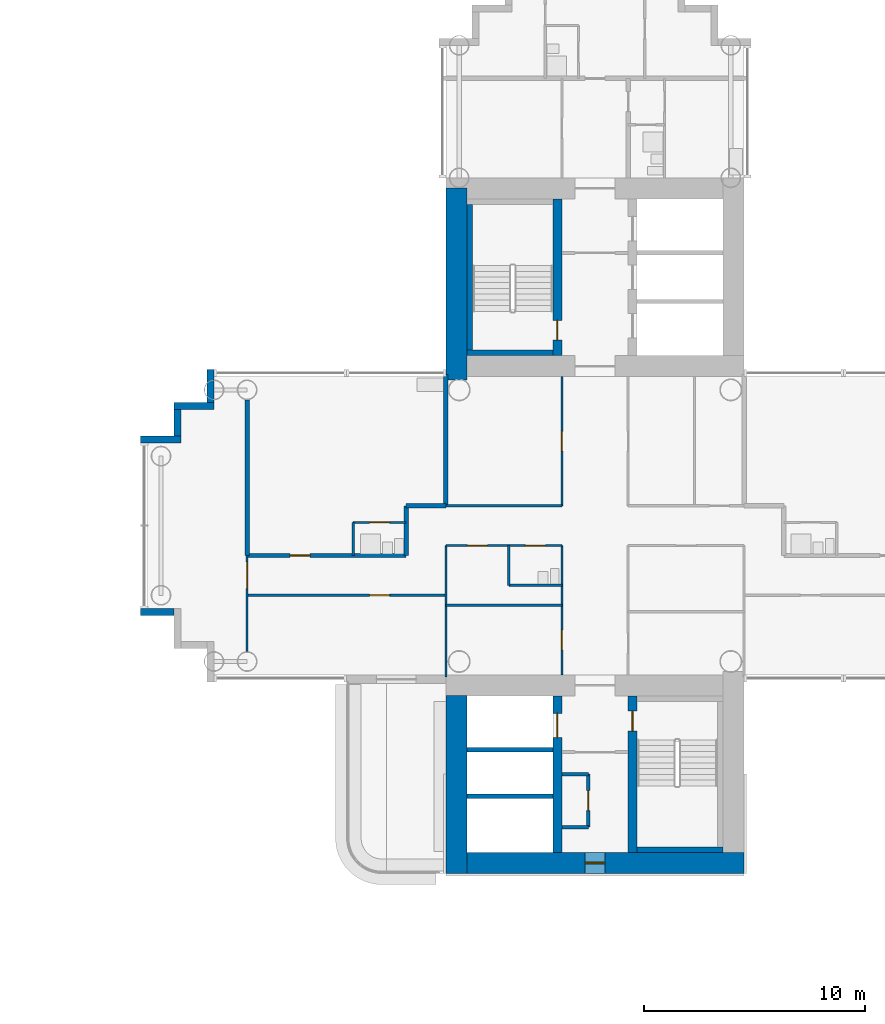
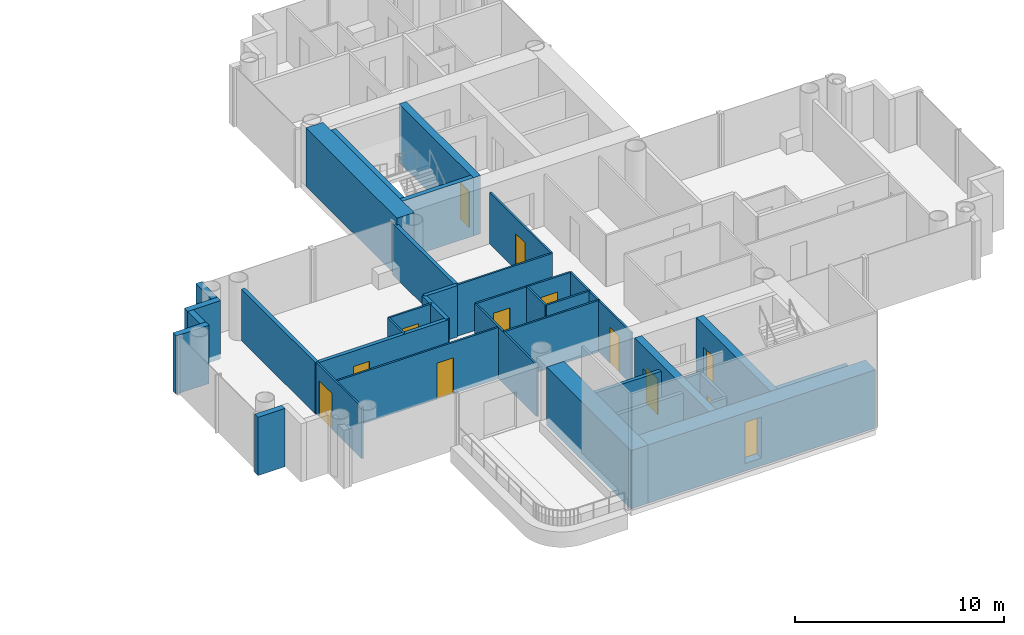
# One storey, part 12 of 21: 36 walls, 12 doors, 1 window, 13 openings.
"""IFC4 building model written with IfcOpenShell, lengths in metres."""

from ifc_helpers import new_model, si_unit, direction, frame, frame_2d, origin, place, context, subcontext, project, spatial, rectangle, extrude, material, layer, layer_set, type_object, element, fill, save


model = new_model("IFC4")

# Units and contexts
model_context = context("Model", 3, precision=1e-05, world=origin(), true_north=direction((0.0, 1.0)))
body_context = subcontext(model_context, "Body", "Model", "MODEL_VIEW")
ifc_project = project(units=[si_unit("LENGTHUNIT", "METRE"), si_unit("AREAUNIT", "SQUARE_METRE"), si_unit("VOLUMEUNIT", "CUBIC_METRE"), si_unit("PLANEANGLEUNIT", "RADIAN"), si_unit("MASSUNIT", "GRAM", prefix="KILO")], contexts=[model_context])

# Site, building, storey
site_placement = place(None, origin())
site = spatial("IfcSite", under=ifc_project, at=site_placement, CompositionType="ELEMENT")
building_placement = place(site_placement, origin())
building = spatial("IfcBuilding", under=site, at=building_placement, Name="Ipe Terrace Towers", CompositionType="ELEMENT")
storey_placement = place(building_placement, frame((0.0, 0.0, 83.39990234375)))
storey = spatial("IfcBuildingStorey", under=building, at=storey_placement, Name="L22", CompositionType="ELEMENT", Elevation=83.39990234375)

# Walls
ifc_material_1 = material(Name="Concrete C40/50 with buff precast cladding", Category="concrete")
ifc_layer_1 = layer(ifc_material_1, 0.320068359375)
ifc_layer_set_1 = layer_set([ifc_layer_1], Name="BUFF CLADDING WALL 320")
wall_type_1 = type_object("IfcWallType", Name="BUFF CLADDING WALL 320", PredefinedType="STANDARD", material=ifc_layer_set_1)
wall_1_placement = place(storey_placement, frame((18.590087890625, 7.070068359375, -0.2998046875), z_axis=(0.0, 0.0, 1.0), x_axis=(0.0, -1.0, 0.0)))
element("IfcWall", 1, at=wall_1_placement, inside=storey, type_object=wall_type_1, Name="T2-W-L22-30a wall", PredefinedType="STANDARD", context=body_context, shape_type="SweptSolid", body=[
    extrude(rectangle(XDim=1.5, YDim=0.320068359375, at=frame_2d((0.75, 0.0))), origin(), (0.0, 0.0, 1.0), 3.39990234375),
])
wall_2_placement = place(storey_placement, frame((18.75, 5.409912109375, -0.2998046875), z_axis=(0.0, 0.0, 1.0), x_axis=(-1.0, 0.0, 0.0)))
element("IfcWall", 2, at=wall_2_placement, inside=storey, type_object=wall_type_1, Name="T2-W-L22-31a wall", PredefinedType="STANDARD", context=body_context, shape_type="SweptSolid", body=[
    extrude(rectangle(XDim=1.820068359375, YDim=0.320068359375, at=frame_2d((0.91015625, 0.0))), origin(), (0.0, 0.0, 1.0), 3.39990234375),
])
wall_3_placement = place(storey_placement, frame((17.090087890625, 5.25, -0.2998046875), z_axis=(0.0, 0.0, 1.0), x_axis=(0.0, -1.0, 0.0)))
element("IfcWall", 3, at=wall_3_placement, inside=storey, type_object=wall_type_1, Name="T2-W-L22-32a wall", PredefinedType="STANDARD", context=body_context, shape_type="SweptSolid", body=[
    extrude(rectangle(XDim=1.179931640625, YDim=0.320068359375, at=frame_2d((0.58984375, 0.0))), origin(), (0.0, 0.0, 1.0), 3.39990234375),
])
wall_4_placement = place(storey_placement, frame((17.25, 3.909912109375, -0.2998046875), z_axis=(0.0, 0.0, 1.0), x_axis=(-1.0, 0.0, 0.0)))
element("IfcWall", 4, at=wall_4_placement, inside=storey, type_object=wall_type_1, Name="T2-W-L22-33a wall", PredefinedType="STANDARD", context=body_context, shape_type="SweptSolid", body=[
    extrude(rectangle(XDim=1.820068359375, YDim=0.320068359375, at=frame_2d((0.91015625, 0.0))), origin(), (0.0, 0.0, 1.0), 3.39990234375),
])
wall_5_placement = place(storey_placement, frame((15.429931640625, -3.909912109375, -0.2998046875), z_axis=(0.0, 0.0, 1.0), x_axis=(1.0, 0.0, 0.0)))
element("IfcWall", 5, at=wall_5_placement, inside=storey, type_object=wall_type_1, Name="T2-W-L22-35a wall", PredefinedType="STANDARD", context=body_context, shape_type="SweptSolid", body=[
    extrude(rectangle(XDim=1.5, YDim=0.320068359375, at=frame_2d((0.75, 0.0))), origin(), (0.0, 0.0, 1.0), 3.39990234375),
])
ifc_material_2 = material(Name="Gypsum board partition", Category="plasterboard")
ifc_layer_2 = layer(ifc_material_2, 0.10009765625)
ifc_layer_set_2 = layer_set([ifc_layer_2], Name="Gypsum board partition 100 mm")
wall_type_2 = type_object("IfcWallType", Name="Gypsum board partition 100 mm", PredefinedType="PARTITIONING", material=ifc_layer_set_2)
wall_6_placement = place(storey_placement, frame((34.5, -3.60009765625, 0.0), z_axis=(0.0, 0.0, 1.0), x_axis=(-1.0, 0.0, 0.0)))
element("IfcWall", 6, at=wall_6_placement, inside=storey, type_object=wall_type_2, Name="Gypsum board partition T2 L22 W02", PredefinedType="PARTITIONING", context=body_context, shape_type="SweptSolid", body=[
    extrude(rectangle(XDim=5.25, YDim=0.10009765625, at=frame_2d((2.625, 0.0))), origin(), (0.0, 0.0, 1.0), 3.0),
])

# Wall, opening, door
wall_7_placement = place(storey_placement, frame((29.25, -3.14990234375, 0.0), z_axis=(0.0, 0.0, 1.0), x_axis=(-1.0, 0.0, 0.0)))
wall_7 = element("IfcWall", 7, at=wall_7_placement, inside=storey, type_object=wall_type_2, Name="Gypsum board partition T2 L22 W04", PredefinedType="PARTITIONING", context=body_context, shape_type="SweptSolid", body=[
    extrude(rectangle(XDim=9.0, YDim=0.10009765625, at=frame_2d((4.5, 0.0))), origin(), (0.0, 0.0, 1.0), 3.0),
])
opening_1_placement = place(wall_7_placement, frame((2.550048828125, 0.0, 0.0)))
opening_1 = element("IfcOpeningElement", 8, at=opening_1_placement, cuts=wall_7, Name="Opening T2-Z2B-09", PredefinedType="OPENING", context=body_context, shape_type="SweptSolid", body=[
    extrude(rectangle(XDim=0.89990234375, YDim=2.10009765625, at=frame_2d((0.449951171875, 1.050048828125))), frame((0.0, 0.06005859375, 0.0), z_axis=(0.0, -1.0, 0.0), x_axis=(1.0, 0.0, 0.0)), (0.0, 0.0, 1.0), 0.1201171875),
])
ifc_material_3 = material(Name="Timber door leaf", Category="wood")
door_type_1 = type_object("IfcDoorType", Name="Lounge door 900 x 2100", OperationType="NOTDEFINED", PredefinedType="DOOR", material=ifc_material_3)
door_1_placement = place(opening_1_placement, origin())
door_1 = element("IfcDoor", 9, at=door_1_placement, inside=storey, type_object=door_type_1, Name="Lounge door T2-Z2B-09", OperationType="SINGLE_SWING_RIGHT", OverallHeight=2.10009765625, OverallWidth=0.89990234375, PredefinedType="DOOR", context=body_context, shape_type="SweptSolid", body=[
    extrude(rectangle(XDim=0.89990234375, YDim=2.10009765625, at=frame_2d((0.449951171875, 1.050048828125))), frame((0.0, 0.02490234375, 0.0), z_axis=(0.0, -1.0, 0.0), x_axis=(1.0, 0.0, 0.0)), (0.0, 0.0, 1.0), 0.050048828125),
])
fill(opening_1, door_1)

# Wall
wall_8_placement = place(storey_placement, frame((34.5, -2.699951171875, 0.0), z_axis=(0.0, 0.0, 1.0), x_axis=(-1.0, 0.0, 0.0)))
element("IfcWall", 10, at=wall_8_placement, inside=storey, type_object=wall_type_2, Name="Gypsum board partition T2 L22 W05", PredefinedType="PARTITIONING", context=body_context, shape_type="SweptSolid", body=[
    extrude(rectangle(XDim=2.39990234375, YDim=0.10009765625, at=frame_2d((1.199951171875, 0.0))), origin(), (0.0, 0.0, 1.0), 3.0),
])

# Wall, openings, doors
wall_9_placement = place(storey_placement, frame((34.5, -0.89990234375, 0.0), z_axis=(0.0, 0.0, 1.0), x_axis=(-1.0, 0.0, 0.0)))
wall_9 = element("IfcWall", 11, at=wall_9_placement, inside=storey, type_object=wall_type_2, Name="Gypsum board partition T2 L22 W09", PredefinedType="PARTITIONING", context=body_context, shape_type="SweptSolid", body=[
    extrude(rectangle(XDim=5.25, YDim=0.10009765625, at=frame_2d((2.625, 0.0))), origin(), (0.0, 0.0, 1.0), 3.0),
])
opening_2_placement = place(wall_9_placement, frame((0.75, 0.0, 0.0)))
opening_2 = element("IfcOpeningElement", 12, at=opening_2_placement, cuts=wall_9, Name="Opening T2-Z2B-01", PredefinedType="OPENING", context=body_context, shape_type="SweptSolid", body=[
    extrude(rectangle(XDim=0.89990234375, YDim=2.10009765625, at=frame_2d((0.449951171875, 1.050048828125))), frame((0.0, 0.06005859375, 0.0), z_axis=(0.0, -1.0, 0.0), x_axis=(1.0, 0.0, 0.0)), (0.0, 0.0, 1.0), 0.1201171875),
])
opening_3_placement = place(wall_9_placement, frame((3.375, 0.0, 0.0)))
opening_3 = element("IfcOpeningElement", 13, at=opening_3_placement, cuts=wall_9, Name="Opening T2-Z2B-03", PredefinedType="OPENING", context=body_context, shape_type="SweptSolid", body=[
    extrude(rectangle(XDim=0.89990234375, YDim=2.10009765625, at=frame_2d((0.449951171875, 1.050048828125))), frame((0.0, 0.06005859375, 0.0), z_axis=(0.0, -1.0, 0.0), x_axis=(1.0, 0.0, 0.0)), (0.0, 0.0, 1.0), 0.1201171875),
])
ifc_material_4 = material(Name="Timber door leaf", Category="wood")
door_type_2 = type_object("IfcDoorType", Name="Bathroom door 900 x 2100", OperationType="NOTDEFINED", PredefinedType="DOOR", material=ifc_material_4)
door_2_placement = place(opening_2_placement, origin())
door_2 = element("IfcDoor", 14, at=door_2_placement, inside=storey, type_object=door_type_2, Name="Bathroom door T2-Z2B-01", OperationType="SINGLE_SWING_RIGHT", OverallHeight=2.10009765625, OverallWidth=0.89990234375, PredefinedType="DOOR", context=body_context, shape_type="SweptSolid", body=[
    extrude(rectangle(XDim=0.89990234375, YDim=2.10009765625, at=frame_2d((0.449951171875, 1.050048828125))), frame((0.0, 0.02490234375, 0.0), z_axis=(0.0, -1.0, 0.0), x_axis=(1.0, 0.0, 0.0)), (0.0, 0.0, 1.0), 0.050048828125),
])
fill(opening_2, door_2)
door_3_placement = place(opening_3_placement, origin())
door_3 = element("IfcDoor", 15, at=door_3_placement, inside=storey, type_object=door_type_1, Name="Lounge door T2-Z2B-03", OperationType="SINGLE_SWING_LEFT", OverallHeight=2.10009765625, OverallWidth=0.89990234375, PredefinedType="DOOR", context=body_context, shape_type="SweptSolid", body=[
    extrude(rectangle(XDim=0.89990234375, YDim=2.10009765625, at=frame_2d((0.449951171875, 1.050048828125))), frame((0.0, 0.02490234375, 0.0), z_axis=(0.0, -1.0, 0.0), x_axis=(1.0, 0.0, 0.0)), (0.0, 0.0, 1.0), 0.050048828125),
])
fill(opening_3, door_3)

# Wall, opening, door
wall_10_placement = place(storey_placement, frame((27.449951171875, 0.14990234375, 0.0), z_axis=(0.0, 0.0, 1.0), x_axis=(-1.0, 0.0, 0.0)))
wall_10 = element("IfcWall", 16, at=wall_10_placement, inside=storey, type_object=wall_type_2, Name="Gypsum board partition T2 L22 W11", PredefinedType="PARTITIONING", context=body_context, shape_type="SweptSolid", body=[
    extrude(rectangle(XDim=2.39990234375, YDim=0.10009765625, at=frame_2d((1.199951171875, 0.0))), origin(), (0.0, 0.0, 1.0), 3.0),
])
opening_4_placement = place(wall_10_placement, frame((0.75, 0.0, 0.0)))
opening_4 = element("IfcOpeningElement", 17, at=opening_4_placement, cuts=wall_10, Name="Opening T2-Z2B-11", PredefinedType="OPENING", context=body_context, shape_type="SweptSolid", body=[
    extrude(rectangle(XDim=0.89990234375, YDim=2.10009765625, at=frame_2d((0.449951171875, 1.050048828125))), frame((0.0, 0.06005859375, 0.0), z_axis=(0.0, -1.0, 0.0), x_axis=(1.0, 0.0, 0.0)), (0.0, 0.0, 1.0), 0.1201171875),
])
door_4_placement = place(opening_4_placement, origin())
door_4 = element("IfcDoor", 18, at=door_4_placement, inside=storey, type_object=door_type_2, Name="Bathroom door T2-Z2B-11", OperationType="SINGLE_SWING_LEFT", OverallHeight=2.10009765625, OverallWidth=0.89990234375, PredefinedType="DOOR", context=body_context, shape_type="SweptSolid", body=[
    extrude(rectangle(XDim=0.89990234375, YDim=2.10009765625, at=frame_2d((0.449951171875, 1.050048828125))), frame((0.0, 0.02490234375, 0.0), z_axis=(0.0, -1.0, 0.0), x_axis=(1.0, 0.0, 0.0)), (0.0, 0.0, 1.0), 0.050048828125),
])
fill(opening_4, door_4)

# Wall
wall_11_placement = place(storey_placement, frame((34.5, 0.89990234375, 0.0), z_axis=(0.0, 0.0, 1.0), x_axis=(-1.0, 0.0, 0.0)))
element("IfcWall", 19, at=wall_11_placement, inside=storey, type_object=wall_type_2, Name="Gypsum board partition T2 L22 W13", PredefinedType="PARTITIONING", context=body_context, shape_type="SweptSolid", body=[
    extrude(rectangle(XDim=5.25, YDim=0.10009765625, at=frame_2d((2.625, 0.0))), origin(), (0.0, 0.0, 1.0), 3.0),
])

# Wall, opening, door
wall_12_placement = place(storey_placement, frame((34.5, -6.75, 0.0), z_axis=(0.0, 0.0, 1.0), x_axis=(0.0, 1.0, 0.0)))
wall_12 = element("IfcWall", 20, at=wall_12_placement, inside=storey, type_object=wall_type_2, Name="Gypsum board partition T2 L22 W32", PredefinedType="PARTITIONING", context=body_context, shape_type="SweptSolid", body=[
    extrude(rectangle(XDim=5.85009765625, YDim=0.10009765625, at=frame_2d((2.925048828125, 0.0))), origin(), (0.0, 0.0, 1.0), 3.0),
])
opening_5_placement = place(wall_12_placement, frame((1.125, 0.0, 0.0)))
opening_5 = element("IfcOpeningElement", 21, at=opening_5_placement, cuts=wall_12, Name="Opening T2-Z2B-04", PredefinedType="OPENING", context=body_context, shape_type="SweptSolid", body=[
    extrude(rectangle(XDim=0.89990234375, YDim=2.10009765625, at=frame_2d((0.449951171875, 1.050048828125))), frame((0.0, 0.06005859375, 0.0), z_axis=(0.0, -1.0, 0.0), x_axis=(1.0, 0.0, 0.0)), (0.0, 0.0, 1.0), 0.1201171875),
])
door_5_placement = place(opening_5_placement, origin())
door_5 = element("IfcDoor", 22, at=door_5_placement, inside=storey, type_object=door_type_1, Name="Lounge door T2-Z2B-04", OperationType="SINGLE_SWING_RIGHT", OverallHeight=2.10009765625, OverallWidth=0.89990234375, PredefinedType="DOOR", context=body_context, shape_type="SweptSolid", body=[
    extrude(rectangle(XDim=0.89990234375, YDim=2.10009765625, at=frame_2d((0.449951171875, 1.050048828125))), frame((0.0, 0.02490234375, 0.0), z_axis=(0.0, -1.0, 0.0), x_axis=(1.0, 0.0, 0.0)), (0.0, 0.0, 1.0), 0.050048828125),
])
fill(opening_5, door_5)

wall_13_placement = place(storey_placement, frame((34.5, 0.89990234375, 0.0), z_axis=(0.0, 0.0, 1.0), x_axis=(0.0, 1.0, 0.0)))
wall_13 = element("IfcWall", 23, at=wall_13_placement, inside=storey, type_object=wall_type_2, Name="Gypsum board partition T2 L22 W33", PredefinedType="PARTITIONING", context=body_context, shape_type="SweptSolid", body=[
    extrude(rectangle(XDim=5.85009765625, YDim=0.10009765625, at=frame_2d((2.925048828125, 0.0))), origin(), (0.0, 0.0, 1.0), 3.0),
])
opening_6_placement = place(wall_13_placement, frame((2.47509765625, 0.0, 0.0)))
opening_6 = element("IfcOpeningElement", 24, at=opening_6_placement, cuts=wall_13, Name="Opening T2-Z2B-02", PredefinedType="OPENING", context=body_context, shape_type="SweptSolid", body=[
    extrude(rectangle(XDim=0.89990234375, YDim=2.10009765625, at=frame_2d((0.449951171875, 1.050048828125))), frame((0.0, 0.06005859375, 0.0), z_axis=(0.0, -1.0, 0.0), x_axis=(1.0, 0.0, 0.0)), (0.0, 0.0, 1.0), 0.1201171875),
])
door_6_placement = place(opening_6_placement, origin())
door_6 = element("IfcDoor", 25, at=door_6_placement, inside=storey, type_object=door_type_1, Name="Lounge door T2-Z2B-02", OperationType="SINGLE_SWING_LEFT", OverallHeight=2.10009765625, OverallWidth=0.89990234375, PredefinedType="DOOR", context=body_context, shape_type="SweptSolid", body=[
    extrude(rectangle(XDim=0.89990234375, YDim=2.10009765625, at=frame_2d((0.449951171875, 1.050048828125))), frame((0.0, 0.02490234375, 0.0), z_axis=(0.0, -1.0, 0.0), x_axis=(1.0, 0.0, 0.0)), (0.0, 0.0, 1.0), 0.050048828125),
])
fill(opening_6, door_6)

# Walls
wall_14_placement = place(storey_placement, frame((32.10009765625, -2.699951171875, 0.0), z_axis=(0.0, 0.0, 1.0), x_axis=(0.0, 1.0, 0.0)))
element("IfcWall", 26, at=wall_14_placement, inside=storey, type_object=wall_type_2, Name="Gypsum board partition T2 L22 W36", PredefinedType="PARTITIONING", context=body_context, shape_type="SweptSolid", body=[
    extrude(rectangle(XDim=1.800048828125, YDim=0.10009765625, at=frame_2d((0.89990234375, 0.0))), origin(), (0.0, 0.0, 1.0), 3.0),
])
wall_15_placement = place(storey_placement, frame((29.25, -6.85009765625, 0.0), z_axis=(0.0, 0.0, 1.0), x_axis=(0.0, 1.0, 0.0)))
element("IfcWall", 27, at=wall_15_placement, inside=storey, type_object=wall_type_2, Name="Gypsum board partition T2 L22 W37", PredefinedType="PARTITIONING", context=body_context, shape_type="SweptSolid", body=[
    extrude(rectangle(XDim=5.9501953125, YDim=0.10009765625, at=frame_2d((2.97509765625, 0.0))), origin(), (0.0, 0.0, 1.0), 3.0),
])
wall_16_placement = place(storey_placement, frame((25.050048828125, -1.35009765625, 0.0), z_axis=(0.0, 0.0, 1.0), x_axis=(0.0, 1.0, 0.0)))
element("IfcWall", 28, at=wall_16_placement, inside=storey, type_object=wall_type_2, Name="Gypsum board partition T2 L22 W40", PredefinedType="PARTITIONING", context=body_context, shape_type="SweptSolid", body=[
    extrude(rectangle(XDim=1.5, YDim=0.10009765625, at=frame_2d((0.75, 0.0))), origin(), (0.0, 0.0, 1.0), 3.0),
])

# Wall, opening, door
wall_17_placement = place(storey_placement, frame((20.25, -5.699951171875, 0.0), z_axis=(0.0, 0.0, 1.0), x_axis=(0.0, 1.0, 0.0)))
wall_17 = element("IfcWall", 29, at=wall_17_placement, inside=storey, type_object=wall_type_2, Name="Gypsum board partition T2 L22 W41", PredefinedType="PARTITIONING", context=body_context, shape_type="SweptSolid", body=[
    extrude(rectangle(XDim=4.349853515625, YDim=0.10009765625, at=frame_2d((2.1748046875, 0.0))), origin(), (0.0, 0.0, 1.0), 3.0),
])
opening_7_placement = place(wall_17_placement, frame((2.85009765625, 0.0, 0.0)))
opening_7 = element("IfcOpeningElement", 30, at=opening_7_placement, cuts=wall_17, Name="Opening T2-Z2B-12", PredefinedType="OPENING", context=body_context, shape_type="SweptSolid", body=[
    extrude(rectangle(XDim=1.199951171875, YDim=2.10009765625, at=frame_2d((0.60009765625, 1.050048828125))), frame((0.0, 0.06005859375, 0.0), z_axis=(0.0, -1.0, 0.0), x_axis=(1.0, 0.0, 0.0)), (0.0, 0.0, 1.0), 0.1201171875),
])
ifc_material_5 = material(Name="Timber door leaf", Category="wood")
door_type_3 = type_object("IfcDoorType", Name="Lounge door 1200 x 2100", OperationType="NOTDEFINED", PredefinedType="DOOR", material=ifc_material_5)
door_7_placement = place(opening_7_placement, origin())
door_7 = element("IfcDoor", 31, at=door_7_placement, inside=storey, type_object=door_type_3, Name="Lounge door T2-Z2B-12", OperationType="SINGLE_SWING_LEFT", OverallHeight=2.10009765625, OverallWidth=1.199951171875, PredefinedType="DOOR", context=body_context, shape_type="SweptSolid", body=[
    extrude(rectangle(XDim=1.199951171875, YDim=2.10009765625, at=frame_2d((0.60009765625, 1.050048828125))), frame((0.0, 0.02490234375, 0.0), z_axis=(0.0, -1.0, 0.0), x_axis=(1.0, 0.0, 0.0)), (0.0, 0.0, 1.0), 0.050048828125),
])
fill(opening_7, door_7)

ifc_material_6 = material(Name="Gypsum board partition", Category="plasterboard")
ifc_layer_3 = layer(ifc_material_6, 0.14990234375)
ifc_layer_set_3 = layer_set([ifc_layer_3], Name="Gypsum board partition 150 mm")
wall_type_3 = type_object("IfcWallType", Name="Gypsum board partition 150 mm", PredefinedType="PARTITIONING", material=ifc_layer_set_3)
wall_18_placement = place(storey_placement, frame((35.699951171875, -11.25, 0.0), z_axis=(0.0, 0.0, 1.0), x_axis=(0.0, -1.0, 0.0)))
wall_18 = element("IfcWall", 32, at=wall_18_placement, inside=storey, type_object=wall_type_3, Name="Gypsum board partition T2 L22 t2c2-cup-s-f", PredefinedType="PARTITIONING", context=body_context, shape_type="SweptSolid", body=[
    extrude(rectangle(XDim=2.39990234375, YDim=0.14990234375, at=frame_2d((1.199951171875, 0.0))), origin(), (0.0, 0.0, 1.0), 3.0),
])
opening_8_placement = place(wall_18_placement, frame((0.75, 0.0, 0.0)))
opening_8 = element("IfcOpeningElement", 33, at=opening_8_placement, cuts=wall_18, Name="Opening T2C2-SC", PredefinedType="OPENING", context=body_context, shape_type="SweptSolid", body=[
    extrude(rectangle(XDim=0.89990234375, YDim=2.10009765625, at=frame_2d((0.449951171875, 1.050048828125))), frame((0.0, 0.0849609375, 0.0), z_axis=(0.0, -1.0, 0.0), x_axis=(1.0, 0.0, 0.0)), (0.0, 0.0, 1.0), 0.169921875),
])
ifc_material_7 = material(Name="Fire-rated timber door leaf", Category="wood")
door_type_4 = type_object("IfcDoorType", Name="Service door 900 x 2100 FD30S", OperationType="NOTDEFINED", PredefinedType="DOOR", material=ifc_material_7)
door_8_placement = place(opening_8_placement, origin())
door_8 = element("IfcDoor", 34, at=door_8_placement, inside=storey, type_object=door_type_4, Name="Service door T2C2-SC", OperationType="SINGLE_SWING_LEFT", OverallHeight=2.10009765625, OverallWidth=0.89990234375, PredefinedType="DOOR", context=body_context, shape_type="SweptSolid", body=[
    extrude(rectangle(XDim=0.89990234375, YDim=2.10009765625, at=frame_2d((0.449951171875, 1.050048828125))), frame((0.0, 0.02490234375, 0.0), z_axis=(0.0, -1.0, 0.0), x_axis=(1.0, 0.0, 0.0)), (0.0, 0.0, 1.0), 0.050048828125),
])
fill(opening_8, door_8)

# Walls
for number, where, z_axis, x_axis, name in (
    (35, (35.699951171875, -11.25, 0.0), (0.0, 0.0, 1.0), (-1.0, 0.0, 0.0), "Gypsum board partition T2 L22 t2c2-cup-s-a"),
    (36, (35.699951171875, -13.64990234375, 0.0), (0.0, 0.0, 1.0), (-1.0, 0.0, 0.0), "Gypsum board partition T2 L22 t2c2-cup-s-b"),
):
    element("IfcWall", number, at=place(storey_placement, frame(where, z_axis=z_axis, x_axis=x_axis)), inside=storey, type_object=wall_type_3, Name=name, PredefinedType="PARTITIONING", context=body_context, shape_type="SweptSolid", body=[
        extrude(rectangle(XDim=1.199951171875, YDim=0.14990234375, at=frame_2d((0.60009765625, 0.0))), origin(), (0.0, 0.0, 1.0), 3.0),
    ])
ifc_material_8 = material(Name="Gypsum board party wall", Category="plasterboard")
ifc_layer_4 = layer(ifc_material_8, 0.199951171875)
ifc_layer_set_4 = layer_set([ifc_layer_4], Name="Gypsum board party wall 200 mm")
wall_type_4 = type_object("IfcWallType", Name="Gypsum board party wall 200 mm", PredefinedType="SOLIDWALL", material=ifc_layer_set_4)
for number, where, z_axis, x_axis, name in (
    (37, (30.199951171875, -10.14990234375, 0.0), (0.0, 0.0, 1.0), (1.0, 0.0, 0.0), "Gypsum board party wall T2 L22 t2c2-shaft-div1"),
    (38, (30.199951171875, -12.25, 0.0), (0.0, 0.0, 1.0), (1.0, 0.0, 0.0), "Gypsum board party wall T2 L22 t2c2-shaft-div2"),
):
    element("IfcWall", number, at=place(storey_placement, frame(where, z_axis=z_axis, x_axis=x_axis)), inside=storey, type_object=wall_type_4, Name=name, PredefinedType="SOLIDWALL", context=body_context, shape_type="SweptSolid", body=[
        extrude(rectangle(XDim=3.900146484375, YDim=0.199951171875, at=frame_2d((1.9501953125, 0.0))), origin(), (0.0, 0.0, 1.0), 3.0),
    ])

# Wall, opening, door
wall_19_placement = place(storey_placement, frame((27.449951171875, -1.35009765625, 0.0), z_axis=(0.0, 0.0, 1.0), x_axis=(-1.0, 0.0, 0.0)))
wall_19 = element("IfcWall", 39, at=wall_19_placement, inside=storey, type_object=wall_type_4, Name="Gypsum board party wall T2 L22 W07", PredefinedType="SOLIDWALL", context=body_context, shape_type="SweptSolid", body=[
    extrude(rectangle(XDim=7.199951171875, YDim=0.199951171875, at=frame_2d((3.60009765625, 0.0))), origin(), (0.0, 0.0, 1.0), 3.0),
])
opening_9_placement = place(wall_19_placement, frame((4.35009765625, 0.0, 0.0)))
opening_9 = element("IfcOpeningElement", 40, at=opening_9_placement, cuts=wall_19, Name="Opening T2-Z2B-10", PredefinedType="OPENING", context=body_context, shape_type="SweptSolid", body=[
    extrude(rectangle(XDim=0.89990234375, YDim=2.10009765625, at=frame_2d((0.449951171875, 1.050048828125))), frame((0.0, 0.10986328125, 0.0), z_axis=(0.0, -1.0, 0.0), x_axis=(1.0, 0.0, 0.0)), (0.0, 0.0, 1.0), 0.219970703125),
])
ifc_material_9 = material(Name="Fire-rated timber door leaf", Category="wood")
door_type_5 = type_object("IfcDoorType", Name="Flat entrance door 900 x 2100 FD30S", OperationType="NOTDEFINED", PredefinedType="DOOR", material=ifc_material_9)
door_9_placement = place(opening_9_placement, origin())
door_9 = element("IfcDoor", 41, at=door_9_placement, inside=storey, type_object=door_type_5, Name="Flat entrance door T2-Z2B-10", OperationType="SINGLE_SWING_RIGHT", OverallHeight=2.10009765625, OverallWidth=0.89990234375, PredefinedType="DOOR", context=body_context, shape_type="SweptSolid", body=[
    extrude(rectangle(XDim=0.89990234375, YDim=2.10009765625, at=frame_2d((0.449951171875, 1.050048828125))), frame((0.0, 0.02490234375, 0.0), z_axis=(0.0, -1.0, 0.0), x_axis=(1.0, 0.0, 0.0)), (0.0, 0.0, 1.0), 0.050048828125),
])
fill(opening_9, door_9)

# Walls
wall_20_placement = place(storey_placement, frame((29.25, 0.89990234375, 0.0), z_axis=(0.0, 0.0, 1.0), x_axis=(-1.0, 0.0, 0.0)))
element("IfcWall", 42, at=wall_20_placement, inside=storey, type_object=wall_type_4, Name="Gypsum board party wall T2 L22 W15", PredefinedType="SOLIDWALL", context=body_context, shape_type="SweptSolid", body=[
    extrude(rectangle(XDim=1.800048828125, YDim=0.199951171875, at=frame_2d((0.89990234375, 0.0))), origin(), (0.0, 0.0, 1.0), 3.0),
])
wall_21_placement = place(storey_placement, frame((29.25, 0.89990234375, 0.0), z_axis=(0.0, 0.0, 1.0), x_axis=(0.0, 1.0, 0.0)))
element("IfcWall", 43, at=wall_21_placement, inside=storey, type_object=wall_type_4, Name="Gypsum board party wall T2 L22 W38", PredefinedType="SOLIDWALL", context=body_context, shape_type="SweptSolid", body=[
    extrude(rectangle(XDim=5.9501953125, YDim=0.199951171875, at=frame_2d((2.97509765625, 0.0))), origin(), (0.0, 0.0, 1.0), 3.0),
])
wall_22_placement = place(storey_placement, frame((27.449951171875, -1.35009765625, 0.0), z_axis=(0.0, 0.0, 1.0), x_axis=(0.0, 1.0, 0.0)))
element("IfcWall", 44, at=wall_22_placement, inside=storey, type_object=wall_type_4, Name="Gypsum board party wall T2 L22 W39", PredefinedType="SOLIDWALL", context=body_context, shape_type="SweptSolid", body=[
    extrude(rectangle(XDim=2.25, YDim=0.199951171875, at=frame_2d((1.125, 0.0))), origin(), (0.0, 0.0, 1.0), 3.0),
])
wall_23_placement = place(storey_placement, frame((20.25, -1.35009765625, 0.0), z_axis=(0.0, 0.0, 1.0), x_axis=(0.0, 1.0, 0.0)))
element("IfcWall", 45, at=wall_23_placement, inside=storey, type_object=wall_type_4, Name="Gypsum board party wall T2 L22 W42", PredefinedType="SOLIDWALL", context=body_context, shape_type="SweptSolid", body=[
    extrude(rectangle(XDim=7.050048828125, YDim=0.199951171875, at=frame_2d((3.52490234375, 0.0))), origin(), (0.0, 0.0, 1.0), 3.0),
])
ifc_material_10 = material(Name="Concrete C50/60", Category="concrete")
ifc_layer_5 = layer(ifc_material_10, 0.25)
ifc_layer_set_5 = layer_set([ifc_layer_5], Name="RW250 CORE INFILL WALL 250 C50-60")
wall_type_5 = type_object("IfcWallType", Name="RW250 CORE INFILL WALL 250 C50-60", PredefinedType="SHEAR", material=ifc_layer_set_5)
wall_24_placement = place(storey_placement, frame((30.324951171875, 7.949951171875, 0.0), z_axis=(0.0, 0.0, 1.0), x_axis=(0.0, 1.0, 0.0)))
element("IfcWall", 46, at=wall_24_placement, inside=storey, type_object=wall_type_5, Name="Core infill wall T2-C1-back", PredefinedType="SHEAR", context=body_context, shape_type="SweptSolid", body=[
    extrude(rectangle(XDim=6.60009765625, YDim=0.25, at=frame_2d((3.300048828125, 0.0))), origin(), (0.0, 0.0, 1.0), 3.400146484375),
])
for number, where, z_axis, x_axis, name in (
    (47, (34.10009765625, 7.824951171875, 0.0), (0.0, 0.0, 1.0), (-1.0, 0.0, 0.0), "Core infill wall T2-C1-near"),
    (48, (37.89990234375, -14.675048828125, 0.0), (0.0, 0.0, 1.0), (1.0, 0.0, 0.0), "Core infill wall T2-C2-far"),
):
    element("IfcWall", number, at=place(storey_placement, frame(where, z_axis=z_axis, x_axis=x_axis)), inside=storey, type_object=wall_type_5, Name=name, PredefinedType="SHEAR", context=body_context, shape_type="SweptSolid", body=[
        extrude(rectangle(XDim=3.900146484375, YDim=0.25, at=frame_2d((1.9501953125, 0.0))), origin(), (0.0, 0.0, 1.0), 3.400146484375),
    ])

# Wall, opening, door
ifc_material_11 = material(Name="Concrete C50/60", Category="concrete")
ifc_layer_6 = layer(ifc_material_11, 0.39990234375)
ifc_layer_set_6 = layer_set([ifc_layer_6], Name="RW400 CORE SPINE WALL 400 C50-60")
wall_type_6 = type_object("IfcWallType", Name="RW400 CORE SPINE WALL 400 C50-60", PredefinedType="SHEAR", material=ifc_layer_set_6)
wall_25_placement = place(storey_placement, frame((34.300048828125, 7.699951171875, 0.0), z_axis=(0.0, 0.0, 1.0), x_axis=(0.0, 1.0, 0.0)))
wall_25 = element("IfcWall", 49, at=wall_25_placement, inside=storey, type_object=wall_type_6, Name="Core spine wall T2-C1-Z2-SW1", PredefinedType="SHEAR", context=body_context, shape_type="SweptSolid", body=[
    extrude(rectangle(XDim=7.10009765625, YDim=0.39990234375, at=frame_2d((3.550048828125, 0.0))), origin(), (0.0, 0.0, 1.0), 3.400146484375),
])
opening_10_placement = place(wall_25_placement, frame((0.699951171875, 0.0, 0.0)))
opening_10 = element("IfcOpeningElement", 50, at=opening_10_placement, cuts=wall_25, Name="Opening T2C1-SD", PredefinedType="OPENING", context=body_context, shape_type="SweptSolid", body=[
    extrude(rectangle(XDim=0.89990234375, YDim=2.10009765625, at=frame_2d((0.449951171875, 1.050048828125))), frame((0.0, 0.2099609375, 0.0), z_axis=(0.0, -1.0, 0.0), x_axis=(1.0, 0.0, 0.0)), (0.0, 0.0, 1.0), 0.419921875),
])
ifc_material_12 = material(Name="Fire-rated timber door leaf", Category="wood")
door_type_6 = type_object("IfcDoorType", Name="Stair door 900 x 2100 FD60", OperationType="NOTDEFINED", PredefinedType="DOOR", material=ifc_material_12)
door_10_placement = place(opening_10_placement, origin())
door_10 = element("IfcDoor", 51, at=door_10_placement, inside=storey, type_object=door_type_6, Name="Stair door T2C1-SD", OperationType="SINGLE_SWING_LEFT", OverallHeight=2.10009765625, OverallWidth=0.89990234375, PredefinedType="DOOR", context=body_context, shape_type="SweptSolid", body=[
    extrude(rectangle(XDim=0.89990234375, YDim=2.10009765625, at=frame_2d((0.449951171875, 1.050048828125))), frame((0.0, 0.02490234375, 0.0), z_axis=(0.0, -1.0, 0.0), x_axis=(1.0, 0.0, 0.0)), (0.0, 0.0, 1.0), 0.050048828125),
])
fill(opening_10, door_10)

wall_26_placement = place(storey_placement, frame((34.300048828125, -14.800048828125, 0.0), z_axis=(0.0, 0.0, 1.0), x_axis=(0.0, 1.0, 0.0)))
wall_26 = element("IfcWall", 52, at=wall_26_placement, inside=storey, type_object=wall_type_6, Name="Core spine wall T2-C2-Z2-SW1", PredefinedType="SHEAR", context=body_context, shape_type="SweptSolid", body=[
    extrude(rectangle(XDim=7.10009765625, YDim=0.39990234375, at=frame_2d((3.550048828125, 0.0))), origin(), (0.0, 0.0, 1.0), 3.400146484375),
])
opening_11_placement = place(wall_26_placement, frame((5.199951171875, 0.0, 0.0)))
opening_11 = element("IfcOpeningElement", 53, at=opening_11_placement, cuts=wall_26, Name="Opening T2C2-LD1", PredefinedType="OPENING", context=body_context, shape_type="SweptSolid", body=[
    extrude(rectangle(XDim=1.10009765625, YDim=2.10009765625, at=frame_2d((0.550048828125, 1.050048828125))), frame((0.0, 0.2099609375, 0.0), z_axis=(0.0, -1.0, 0.0), x_axis=(1.0, 0.0, 0.0)), (0.0, 0.0, 1.0), 0.419921875),
])
ifc_material_13 = material(Name="Fire-rated timber door leaf", Category="wood")
door_type_7 = type_object("IfcDoorType", Name="Sliding door 1100 x 2100 FD60", OperationType="SLIDING_TO_LEFT", PredefinedType="DOOR", material=ifc_material_13)
door_11_placement = place(opening_11_placement, origin())
door_11 = element("IfcDoor", 54, at=door_11_placement, inside=storey, type_object=door_type_7, Name="Sliding door T2C2-LD1", OperationType="SLIDING_TO_LEFT", OverallHeight=2.10009765625, OverallWidth=1.10009765625, PredefinedType="DOOR", context=body_context, shape_type="SweptSolid", body=[
    extrude(rectangle(XDim=1.10009765625, YDim=2.10009765625, at=frame_2d((0.550048828125, 1.050048828125))), frame((0.0, 0.02490234375, 0.0), z_axis=(0.0, -1.0, 0.0), x_axis=(1.0, 0.0, 0.0)), (0.0, 0.0, 1.0), 0.050048828125),
])
fill(opening_11, door_11)

wall_27_placement = place(storey_placement, frame((37.699951171875, -14.800048828125, 0.0), z_axis=(0.0, 0.0, 1.0), x_axis=(0.0, 1.0, 0.0)))
wall_27 = element("IfcWall", 55, at=wall_27_placement, inside=storey, type_object=wall_type_6, Name="Core spine wall T2-C2-Z2-SW2", PredefinedType="SHEAR", context=body_context, shape_type="SweptSolid", body=[
    extrude(rectangle(XDim=7.10009765625, YDim=0.39990234375, at=frame_2d((3.550048828125, 0.0))), origin(), (0.0, 0.0, 1.0), 3.400146484375),
])
opening_12_placement = place(wall_27_placement, frame((5.5, 0.0, 0.0)))
opening_12 = element("IfcOpeningElement", 56, at=opening_12_placement, cuts=wall_27, Name="Opening T2C2-SD", PredefinedType="OPENING", context=body_context, shape_type="SweptSolid", body=[
    extrude(rectangle(XDim=0.89990234375, YDim=2.10009765625, at=frame_2d((0.449951171875, 1.050048828125))), frame((0.0, 0.2099609375, 0.0), z_axis=(0.0, -1.0, 0.0), x_axis=(1.0, 0.0, 0.0)), (0.0, 0.0, 1.0), 0.419921875),
])
door_12_placement = place(opening_12_placement, origin())
door_12 = element("IfcDoor", 57, at=door_12_placement, inside=storey, type_object=door_type_6, Name="Stair door T2C2-SD", OperationType="SINGLE_SWING_RIGHT", OverallHeight=2.10009765625, OverallWidth=0.89990234375, PredefinedType="DOOR", context=body_context, shape_type="SweptSolid", body=[
    extrude(rectangle(XDim=0.89990234375, YDim=2.10009765625, at=frame_2d((0.449951171875, 1.050048828125))), frame((0.0, 0.02490234375, 0.0), z_axis=(0.0, -1.0, 0.0), x_axis=(1.0, 0.0, 0.0)), (0.0, 0.0, 1.0), 0.050048828125),
])
fill(opening_12, door_12)

# Wall
ifc_material_14 = material(Name="Concrete C50/60", Category="concrete")
ifc_layer_7 = layer(ifc_material_14, 0.949951171875)
ifc_layer_set_7 = layer_set([ifc_layer_7], Name="RW950 CORE WALL 950 C50-60")
wall_type_7 = type_object("IfcWallType", Name="RW950 CORE WALL 950 C50-60", PredefinedType="SHEAR", material=ifc_layer_set_7)
wall_28_placement = place(storey_placement, frame((29.72509765625, 15.298095703125, 0.0), z_axis=(0.0, 0.0, 1.0), x_axis=(0.0, -1.0, 0.0)))
element("IfcWall", 58, at=wall_28_placement, inside=storey, type_object=wall_type_7, Name="Core wall T2-C1-Z2-W04", PredefinedType="SHEAR", context=body_context, shape_type="SweptSolid", body=[
    extrude(rectangle(XDim=8.696044921875, YDim=0.949951171875, at=frame_2d((4.34814453125, 0.0))), origin(), (0.0, 0.0, 1.0), 3.400146484375),
])

# Wall, opening, window
wall_29_placement = place(storey_placement, frame((30.199951171875, -15.27490234375, 0.0), z_axis=(0.0, 0.0, 1.0), x_axis=(1.0, 0.0, 0.0)))
wall_29 = element("IfcWall", 59, at=wall_29_placement, inside=storey, type_object=wall_type_7, Name="Core wall T2-C2-Z2-W01", PredefinedType="SHEAR", context=body_context, shape_type="SweptSolid", body=[
    extrude(rectangle(XDim=12.550048828125, YDim=0.949951171875, at=frame_2d((6.27490234375, 0.0))), origin(), (0.0, 0.0, 1.0), 3.400146484375),
])
opening_13_placement = place(wall_29_placement, frame((5.35009765625, 0.0, 0.449951171875)))
opening_13 = element("IfcOpeningElement", 60, at=opening_13_placement, cuts=wall_29, Name="Opening T2-C2-W-01-L22", PredefinedType="OPENING", context=body_context, shape_type="SweptSolid", body=[
    extrude(rectangle(XDim=0.89990234375, YDim=2.39990234375, at=frame_2d((0.449951171875, 1.199951171875))), frame((0.0, 0.48486328125, 0.0), z_axis=(0.0, -1.0, 0.0), x_axis=(1.0, 0.0, 0.0)), (0.0, 0.0, 1.0), 0.969970703125),
])
ifc_material_15 = material(Name="Fire-resistant glazing EI 60", Category="glass")
window_type = type_object("IfcWindowType", Name="CORRIDOR END SLOT WINDOW 900 x 2400 EI 60", PartitioningType="SINGLE_PANEL", PredefinedType="WINDOW", material=ifc_material_15)
window_placement = place(opening_13_placement, origin())
window = element("IfcWindow", 61, at=window_placement, inside=storey, type_object=window_type, Name="W-01 window", OverallHeight=2.39990234375, OverallWidth=0.89990234375, PartitioningType="SINGLE_PANEL", PredefinedType="WINDOW", context=body_context, shape_type="SweptSolid", body=[
    extrude(rectangle(XDim=0.89990234375, YDim=2.39990234375, at=frame_2d((0.449951171875, 1.199951171875))), frame((0.0, 0.030029296875, 0.0), z_axis=(0.0, -1.0, 0.0), x_axis=(1.0, 0.0, 0.0)), (0.0, 0.0, 1.0), 0.06005859375),
])
fill(opening_13, window)

# Wall
wall_30_placement = place(storey_placement, frame((29.72509765625, -7.699951171875, 0.0), z_axis=(0.0, 0.0, 1.0), x_axis=(0.0, -1.0, 0.0)))
element("IfcWall", 62, at=wall_30_placement, inside=storey, type_object=wall_type_7, Name="Core wall T2-C2-Z2-W04", PredefinedType="SHEAR", context=body_context, shape_type="SweptSolid", body=[
    extrude(rectangle(XDim=8.050048828125, YDim=0.949951171875, at=frame_2d((4.02490234375, 0.0))), origin(), (0.0, 0.0, 1.0), 3.400146484375),
])

save(model, "model.ifc")
